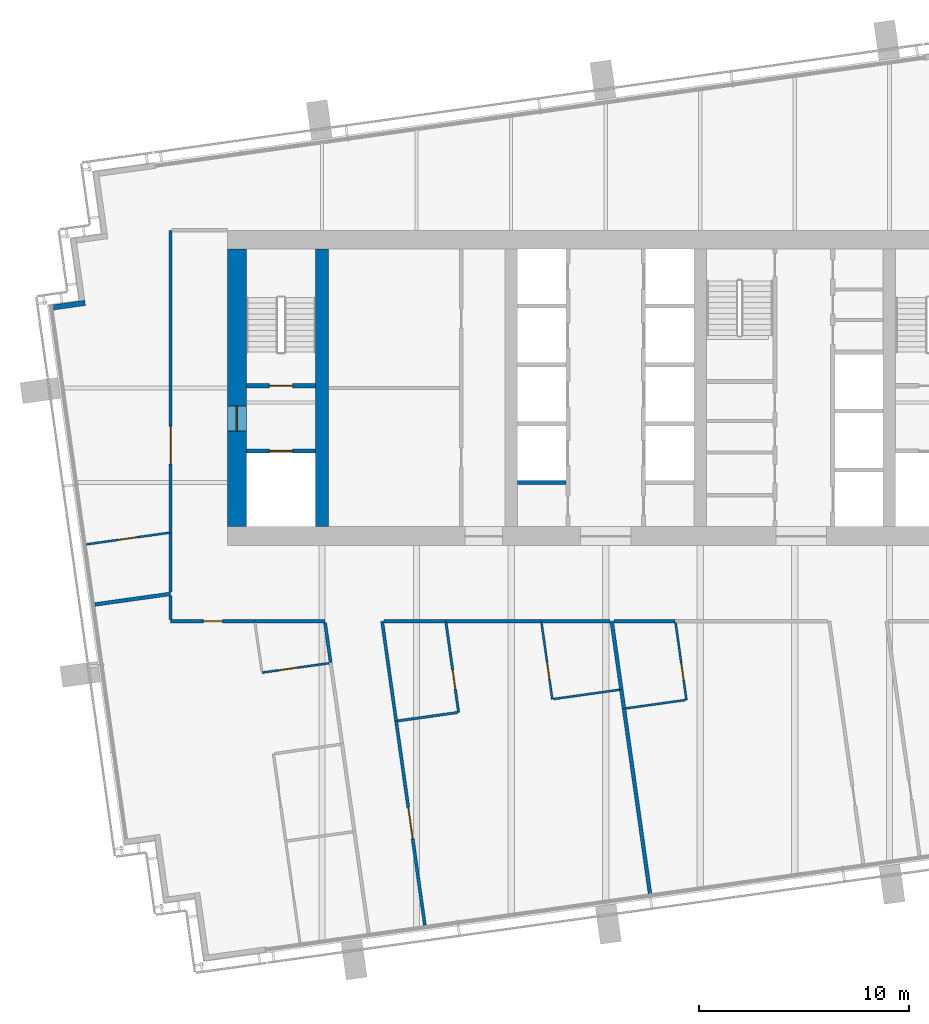
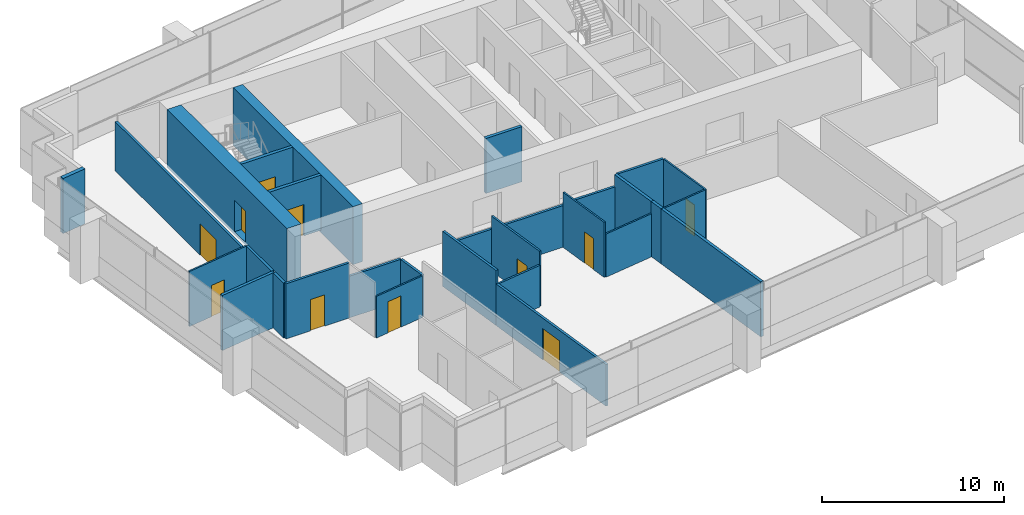
# One storey, part 8 of 15: 30 walls, 11 doors, 11 openings.
"""IFC4 building model written with IfcOpenShell, lengths in metres."""

from ifc_helpers import new_model, si_unit, direction, frame, frame_2d, origin, place, context, subcontext, project, spatial, rectangle, extrude, material, layer, layer_set, type_object, element, fill, save


model = new_model("IFC4")

# Units and contexts
model_context = context("Model", 3, precision=1e-05, world=origin(), true_north=direction((0.0, 1.0)))
body_context = subcontext(model_context, "Body", "Model", "MODEL_VIEW")
ifc_project = project(units=[si_unit("LENGTHUNIT", "METRE"), si_unit("AREAUNIT", "SQUARE_METRE"), si_unit("VOLUMEUNIT", "CUBIC_METRE"), si_unit("PLANEANGLEUNIT", "RADIAN"), si_unit("MASSUNIT", "GRAM", prefix="KILO")], contexts=[model_context])

# Site, building, storey
site_placement = place(None, origin())
site = spatial("IfcSite", under=ifc_project, at=site_placement, CompositionType="ELEMENT")
building_placement = place(site_placement, origin())
building = spatial("IfcBuilding", under=site, at=building_placement, Name="Rattan Terrace Tower", CompositionType="ELEMENT")
storey_placement = place(building_placement, frame((0.0, 0.0, 274.60009765625)))
storey = spatial("IfcBuildingStorey", under=building, at=storey_placement, Name="L63", CompositionType="ELEMENT", Elevation=274.60009765625)

# Wall, opening, door
ifc_material_1 = material(Name="Gypsum board partition")
ifc_layer_1 = layer(ifc_material_1, 0.199951171875)
ifc_layer_set_1 = layer_set([ifc_layer_1], Name="Core partition 200")
wall_type_1 = type_object("IfcWallType", Name="Core partition 200", PredefinedType="PARTITIONING", material=ifc_layer_set_1)
wall_1_placement = place(storey_placement, frame((-17.10009765625, -3.0, 0.0), z_axis=(0.0, 0.0, 1.0), x_axis=(1.0, 0.0, 0.0)))
wall_1 = element("IfcWall", 1, at=wall_1_placement, inside=storey, type_object=wall_type_1, Name="Fire-fighting lobby wall", PredefinedType="PARTITIONING", context=body_context, shape_type="SweptSolid", body=[
    extrude(rectangle(XDim=3.300048828125, YDim=0.199951171875, at=frame_2d((1.64990234375, 0.0))), origin(), (0.0, 0.0, 1.0), 3.699951171875),
])
opening_1_placement = place(wall_1_placement, frame((1.10009765625, 0.0, 0.0)))
opening_1 = element("IfcOpeningElement", 2, at=opening_1_placement, cuts=wall_1, Name="Opening L63-LD-FF1", PredefinedType="OPENING", context=body_context, shape_type="SweptSolid", body=[
    extrude(rectangle(XDim=1.10009765625, YDim=2.10009765625, at=frame_2d((0.550048828125, 1.050048828125))), frame((0.0, 0.110595703125, 0.0), z_axis=(0.0, -1.0, 0.0), x_axis=(1.0, 0.0, 0.0)), (0.0, 0.0, 1.0), 0.220947265625),
])
ifc_material_2 = material(Name="Brushed stainless landing door panel")
door_type_1 = type_object("IfcDoorType", Name="Core lift landing door 1100", OperationType="DOUBLE_DOOR_SLIDING", PredefinedType="DOOR", material=ifc_material_2)
door_1_placement = place(opening_1_placement, origin())
door_1 = element("IfcDoor", 3, at=door_1_placement, inside=storey, type_object=door_type_1, Name="Door L63-LD-FF1", OperationType="DOUBLE_DOOR_SLIDING", OverallHeight=2.10009765625, OverallWidth=1.10009765625, PredefinedType="DOOR", context=body_context, shape_type="SweptSolid", body=[
    extrude(rectangle(XDim=1.10009765625, YDim=2.10009765625, at=frame_2d((0.550048828125, 1.050048828125))), frame((0.0, 0.02490234375, 0.0), z_axis=(0.0, -1.0, 0.0), x_axis=(1.0, 0.0, 0.0)), (0.0, 0.0, 1.0), 0.050048828125),
])
fill(opening_1, door_1)

wall_2_placement = place(storey_placement, frame((-17.10009765625, 0.10009765625, 0.0), z_axis=(0.0, 0.0, 1.0), x_axis=(1.0, 0.0, 0.0)))
wall_2 = element("IfcWall", 4, at=wall_2_placement, inside=storey, type_object=wall_type_1, Name="Stair enclosure wall", PredefinedType="PARTITIONING", context=body_context, shape_type="SweptSolid", body=[
    extrude(rectangle(XDim=3.300048828125, YDim=0.199951171875, at=frame_2d((1.64990234375, 0.0))), origin(), (0.0, 0.0, 1.0), 3.699951171875),
])
opening_2_placement = place(wall_2_placement, frame((1.10009765625, 0.0, 0.0)))
opening_2 = element("IfcOpeningElement", 5, at=opening_2_placement, cuts=wall_2, Name="Opening L63-D002", PredefinedType="OPENING", context=body_context, shape_type="SweptSolid", body=[
    extrude(rectangle(XDim=1.10009765625, YDim=2.10009765625, at=frame_2d((0.550048828125, 1.050048828125))), frame((0.0, 0.110595703125, 0.0), z_axis=(0.0, -1.0, 0.0), x_axis=(1.0, 0.0, 0.0)), (0.0, 0.0, 1.0), 0.220947265625),
])
ifc_material_3 = material(Name="Hollow-metal fire door leaf")
door_type_2 = type_object("IfcDoorType", Name="Core stair door 1100", OperationType="NOTDEFINED", PredefinedType="DOOR", material=ifc_material_3)
door_2_placement = place(opening_2_placement, origin())
door_2 = element("IfcDoor", 6, at=door_2_placement, inside=storey, type_object=door_type_2, Name="Door L63-D002", OperationType="SINGLE_SWING_RIGHT", OverallHeight=2.10009765625, OverallWidth=1.10009765625, PredefinedType="DOOR", context=body_context, shape_type="SweptSolid", body=[
    extrude(rectangle(XDim=1.10009765625, YDim=2.10009765625, at=frame_2d((0.550048828125, 1.050048828125))), frame((0.0, 0.02490234375, 0.0), z_axis=(0.0, -1.0, 0.0), x_axis=(1.0, 0.0, 0.0)), (0.0, 0.0, 1.0), 0.050048828125),
])
fill(opening_2, door_2)

ifc_material_4 = material(Name="Concrete C50/60", Category="concrete")
ifc_layer_2 = layer(ifc_material_4, 0.89990234375)
ifc_layer_set_2 = layer_set([ifc_layer_2], Name="Core ring wall 900 C50/60")
wall_type_2 = type_object("IfcWallType", Name="Core ring wall 900 C50/60", PredefinedType="SHEAR", material=ifc_layer_set_2)
wall_3_placement = place(storey_placement, frame((-17.550048828125, -6.60009765625, -0.2001953125), z_axis=(0.0, 0.0, 1.0), x_axis=(0.0, 1.0, 0.0)))
wall_3 = element("IfcWall", 7, at=wall_3_placement, inside=storey, type_object=wall_type_2, Name="Rear core wall west", PredefinedType="SHEAR", context=body_context, shape_type="SweptSolid", body=[
    extrude(rectangle(XDim=13.2001953125, YDim=0.89990234375, at=frame_2d((6.60009765625, 0.0))), origin(), (0.0, 0.0, 1.0), 3.900146484375),
])
opening_3_placement = place(wall_3_placement, frame((4.550048828125, 0.0, 0.199951171875)))
opening_3 = element("IfcOpeningElement", 8, at=opening_3_placement, cuts=wall_3, Name="Opening L63-D001", PredefinedType="OPENING", context=body_context, shape_type="SweptSolid", body=[
    extrude(rectangle(XDim=1.199951171875, YDim=2.10009765625, at=frame_2d((0.60009765625, 1.050048828125))), frame((0.0, 0.46044921875, 0.0), z_axis=(0.0, -1.0, 0.0), x_axis=(1.0, 0.0, 0.0)), (0.0, 0.0, 1.0), 0.9208984375),
])
ifc_material_5 = material(Name="Hollow-metal fire door leaf")
door_type_3 = type_object("IfcDoorType", Name="Core fire-fighting lobby door 1200", OperationType="NOTDEFINED", PredefinedType="DOOR", material=ifc_material_5)
door_3_placement = place(opening_3_placement, origin())
door_3 = element("IfcDoor", 9, at=door_3_placement, inside=storey, type_object=door_type_3, Name="Door L63-D001", OperationType="SINGLE_SWING_LEFT", OverallHeight=2.10009765625, OverallWidth=1.199951171875, PredefinedType="DOOR", context=body_context, shape_type="SweptSolid", body=[
    extrude(rectangle(XDim=1.199951171875, YDim=2.10009765625, at=frame_2d((0.60009765625, 1.050048828125))), frame((0.0, 0.02490234375, 0.0), z_axis=(0.0, -1.0, 0.0), x_axis=(1.0, 0.0, 0.0)), (0.0, 0.0, 1.0), 0.050048828125),
])
fill(opening_3, door_3)

# Walls
ifc_material_6 = material(Name="Concrete C50/60", Category="concrete")
ifc_layer_3 = layer(ifc_material_6, 0.60009765625)
ifc_layer_set_3 = layer_set([ifc_layer_3], Name="Core spine wall 600 C50/60")
wall_type_3 = type_object("IfcWallType", Name="Core spine wall 600 C50/60", PredefinedType="SHEAR", material=ifc_layer_set_3)
wall_4_placement = place(storey_placement, frame((-13.5, -6.60009765625, -0.2001953125), z_axis=(0.0, 0.0, 1.0), x_axis=(0.0, 1.0, 0.0)))
element("IfcWall", 10, at=wall_4_placement, inside=storey, type_object=wall_type_3, Name="Core spine wall 1", PredefinedType="SHEAR", context=body_context, shape_type="SweptSolid", body=[
    extrude(rectangle(XDim=13.2001953125, YDim=0.60009765625, at=frame_2d((6.60009765625, 0.0))), origin(), (0.0, 0.0, 1.0), 3.900146484375),
])
ifc_material_7 = material(Name="Insulated aluminium-clad stud wall", Category="aluminium")
ifc_layer_4 = layer(ifc_material_7, 0.25)
ifc_layer_set_4 = layer_set([ifc_layer_4], Name="Facade Riser Wall 250")
wall_type_4 = type_object("IfcWallType", Name="Facade Riser Wall 250", PredefinedType="SOLIDWALL", material=ifc_layer_set_4)
wall_5_placement = place(storey_placement, frame((-24.769287109375, 4.045654296875, 0.0), z_axis=(0.0, 0.0, 1.0), x_axis=(-0.990260716096, -0.139225407725, 0.0)))
element("IfcWall", 11, at=wall_5_placement, inside=storey, type_object=wall_type_4, Name="Riser wall L63-15", PredefinedType="SOLIDWALL", context=body_context, shape_type="SweptSolid", body=[
    extrude(rectangle(XDim=1.525634765625, YDim=0.25, at=frame_2d((0.7626953125, 0.0))), origin(), (0.0, 0.0, 1.0), 3.699951171875),
])
ifc_material_8 = material(Name="Double steel stud acoustic partition, gypsum board, mineral wool, fire rated", Category="steel")
ifc_layer_5 = layer(ifc_material_8, 0.179931640625)
ifc_layer_set_5 = layer_set([ifc_layer_5], Name="Floors Acoustic Party Wall 180")
wall_type_5 = type_object("IfcWallType", Name="Floors Acoustic Party Wall 180", PredefinedType="PARTITIONING", material=ifc_layer_set_5)
wall_6_placement = place(storey_placement, frame((-24.303955078125, -10.302978515625, 0.0), z_axis=(0.0, 0.0, 1.0), x_axis=(0.990292681193, 0.138997861769, 0.0)))
element("IfcWall", 12, at=wall_6_placement, inside=storey, type_object=wall_type_5, Name="pt-L63-031", PredefinedType="PARTITIONING", context=body_context, shape_type="SweptSolid", body=[
    extrude(rectangle(XDim=3.639404296875, YDim=0.179931640625, at=frame_2d((1.81982421875, 0.0))), origin(), (0.0, 0.0, 1.0), 3.699951171875),
])
wall_7_placement = place(storey_placement, frame((0.867919921875, -15.239013671875, 0.0), z_axis=(0.0, 0.0, 1.0), x_axis=(0.139233409815, -0.990259591012, 0.0)))
element("IfcWall", 13, at=wall_7_placement, inside=storey, type_object=wall_type_5, Name="pt-L63-041", PredefinedType="PARTITIONING", context=body_context, shape_type="SweptSolid", body=[
    extrude(rectangle(XDim=8.90576171875, YDim=0.179931640625, at=frame_2d((4.452880859375, 0.0))), origin(), (0.0, 0.0, 1.0), 3.699951171875),
])
wall_8_placement = place(storey_placement, frame((0.742919921875, -14.34912109375, 0.0), z_axis=(0.0, 0.0, 1.0), x_axis=(0.139100809785, -0.990278225913, 0.0)))
element("IfcWall", 14, at=wall_8_placement, inside=storey, type_object=wall_type_5, Name="pt-L63-042", PredefinedType="PARTITIONING", context=body_context, shape_type="SweptSolid", body=[
    extrude(rectangle(XDim=0.898681640625, YDim=0.179931640625, at=frame_2d((0.44921875, 0.0))), origin(), (0.0, 0.0, 1.0), 3.699951171875),
])
wall_9_placement = place(storey_placement, frame((0.287109375, -11.10009765625, 0.0), z_axis=(0.0, 0.0, 1.0), x_axis=(0.13898222456, -0.990294875911, 0.0)))
element("IfcWall", 15, at=wall_9_placement, inside=storey, type_object=wall_type_5, Name="pt-L63-043", PredefinedType="PARTITIONING", context=body_context, shape_type="SweptSolid", body=[
    extrude(rectangle(XDim=3.279541015625, YDim=0.179931640625, at=frame_2d((1.6396484375, 0.0))), origin(), (0.0, 0.0, 1.0), 3.699951171875),
])

# Wall, opening, door
ifc_material_9 = material(Name="Gypsum board partition on steel studs", Category="steel")
ifc_layer_6 = layer(ifc_material_9, 0.10009765625)
ifc_layer_set_6 = layer_set([ifc_layer_6], Name="Floors Partition 100")
wall_type_6 = type_object("IfcWallType", Name="Floors Partition 100", PredefinedType="PARTITIONING", material=ifc_layer_set_6)
wall_10_placement = place(storey_placement, frame((-16.35205078125, -13.544921875, 0.0), z_axis=(0.0, 0.0, 1.0), x_axis=(0.990264894561, 0.13919568456, 0.0)))
wall_10 = element("IfcWall", 16, at=wall_10_placement, inside=storey, type_object=wall_type_6, Name="pt-L63-030", PredefinedType="PARTITIONING", context=body_context, shape_type="SweptSolid", body=[
    extrude(rectangle(XDim=3.2255859375, YDim=0.10009765625, at=frame_2d((1.61279296875, 0.0))), origin(), (0.0, 0.0, 1.0), 2.7998046875),
])
opening_4_placement = place(wall_10_placement, frame((0.798095703125, 0.0, 0.0)))
opening_4 = element("IfcOpeningElement", 17, at=opening_4_placement, cuts=wall_10, Name="Opening L63-D103", PredefinedType="OPENING", context=body_context, shape_type="SweptSolid", body=[
    extrude(rectangle(XDim=0.89990234375, YDim=2.10009765625, at=frame_2d((0.449951171875, 1.050048828125))), frame((0.0, 0.060546875, 0.0), z_axis=(0.0, -1.0, 0.0), x_axis=(1.0, 0.0, 0.0)), (0.0, 0.0, 1.0), 0.12109375),
])
ifc_material_10 = material(Name="Solid core timber door, painted", Category="wood")
door_type_4 = type_object("IfcDoorType", Name="Floors Door 900x2100", OperationType="NOTDEFINED", PredefinedType="DOOR", material=ifc_material_10)
door_4_placement = place(opening_4_placement, origin())
door_4 = element("IfcDoor", 18, at=door_4_placement, inside=storey, type_object=door_type_4, Name="d-L63-103", OperationType="SINGLE_SWING_LEFT", OverallHeight=2.10009765625, OverallWidth=0.89990234375, PredefinedType="DOOR", context=body_context, shape_type="SweptSolid", body=[
    extrude(rectangle(XDim=0.89990234375, YDim=2.10009765625, at=frame_2d((0.449951171875, 1.050048828125))), frame((0.0, 0.02490234375, 0.0), z_axis=(0.0, -1.0, 0.0), x_axis=(1.0, 0.0, 0.0)), (0.0, 0.0, 1.0), 0.050048828125),
])
fill(opening_4, door_4)

wall_11_placement = place(storey_placement, frame((-20.76806640625, -6.889892578125, 0.0), z_axis=(0.0, 0.0, 1.0), x_axis=(-0.990313393589, -0.138850215981, 0.0)))
wall_11 = element("IfcWall", 19, at=wall_11_placement, inside=storey, type_object=wall_type_6, Name="pt-L63-035", PredefinedType="PARTITIONING", context=body_context, shape_type="SweptSolid", body=[
    extrude(rectangle(XDim=3.9755859375, YDim=0.10009765625, at=frame_2d((1.98779296875, 0.0))), origin(), (0.0, 0.0, 1.0), 3.699951171875),
])
opening_5_placement = place(wall_11_placement, frame((1.5380859375, 0.0, 0.0)))
opening_5 = element("IfcOpeningElement", 20, at=opening_5_placement, cuts=wall_11, Name="Opening L63-D107", PredefinedType="OPENING", context=body_context, shape_type="SweptSolid", body=[
    extrude(rectangle(XDim=0.89990234375, YDim=2.10009765625, at=frame_2d((0.449951171875, 1.050048828125))), frame((0.0, 0.060546875, 0.0), z_axis=(0.0, -1.0, 0.0), x_axis=(1.0, 0.0, 0.0)), (0.0, 0.0, 1.0), 0.12109375),
])
door_5_placement = place(opening_5_placement, origin())
door_5 = element("IfcDoor", 21, at=door_5_placement, inside=storey, type_object=door_type_4, Name="d-L63-107", OperationType="SINGLE_SWING_RIGHT", OverallHeight=2.10009765625, OverallWidth=0.89990234375, PredefinedType="DOOR", context=body_context, shape_type="SweptSolid", body=[
    extrude(rectangle(XDim=0.89990234375, YDim=2.10009765625, at=frame_2d((0.449951171875, 1.050048828125))), frame((0.0, 0.02490234375, 0.0), z_axis=(0.0, -1.0, 0.0), x_axis=(1.0, 0.0, 0.0)), (0.0, 0.0, 1.0), 0.050048828125),
])
fill(opening_5, door_5)

wall_12_placement = place(storey_placement, frame((-3.052978515625, -11.16796875, 0.0), z_axis=(0.0, 0.0, 1.0), x_axis=(0.139199908751, -0.990264300782, 0.0)))
wall_12 = element("IfcWall", 22, at=wall_12_placement, inside=storey, type_object=wall_type_6, Name="pt-L63-039", PredefinedType="PARTITIONING", context=body_context, shape_type="SweptSolid", body=[
    extrude(rectangle(XDim=3.677978515625, YDim=0.10009765625, at=frame_2d((1.8388671875, 0.0))), origin(), (0.0, 0.0, 1.0), 3.699951171875),
])
opening_6_placement = place(wall_12_placement, frame((1.9150390625, 0.0, 0.0)))
opening_6 = element("IfcOpeningElement", 23, at=opening_6_placement, cuts=wall_12, Name="Opening L63-D111", PredefinedType="OPENING", context=body_context, shape_type="SweptSolid", body=[
    extrude(rectangle(XDim=0.800048828125, YDim=2.10009765625, at=frame_2d((0.39990234375, 1.050048828125))), frame((0.0, 0.060546875, 0.0), z_axis=(0.0, -1.0, 0.0), x_axis=(1.0, 0.0, 0.0)), (0.0, 0.0, 1.0), 0.12109375),
])
ifc_material_11 = material(Name="Solid core timber door, painted", Category="wood")
door_type_5 = type_object("IfcDoorType", Name="Floors Store Door 800x2100", OperationType="NOTDEFINED", PredefinedType="DOOR", material=ifc_material_11)
door_6_placement = place(opening_6_placement, origin())
door_6 = element("IfcDoor", 24, at=door_6_placement, inside=storey, type_object=door_type_5, Name="d-L63-111", OperationType="SINGLE_SWING_RIGHT", OverallHeight=2.10009765625, OverallWidth=0.800048828125, PredefinedType="DOOR", context=body_context, shape_type="SweptSolid", body=[
    extrude(rectangle(XDim=0.800048828125, YDim=2.10009765625, at=frame_2d((0.39990234375, 1.050048828125))), frame((0.0, 0.02490234375, 0.0), z_axis=(0.0, -1.0, 0.0), x_axis=(1.0, 0.0, 0.0)), (0.0, 0.0, 1.0), 0.050048828125),
])
fill(opening_6, door_6)

# Walls
wall_13_placement = place(storey_placement, frame((-2.491943359375, -14.802978515625, 0.0), z_axis=(0.0, 0.0, 1.0), x_axis=(0.990278754473, 0.139097046841, 0.0)))
element("IfcWall", 25, at=wall_13_placement, inside=storey, type_object=wall_type_6, Name="pt-L63-040", PredefinedType="PARTITIONING", context=body_context, shape_type="SweptSolid", body=[
    extrude(rectangle(XDim=3.1767578125, YDim=0.10009765625, at=frame_2d((1.58837890625, 0.0))), origin(), (0.0, 0.0, 1.0), 2.89990234375),
])
wall_14_placement = place(storey_placement, frame((0.9599609375, -15.2470703125, 0.0), z_axis=(0.0, 0.0, 1.0), x_axis=(0.990271288443, 0.139150189669, 0.0)))
element("IfcWall", 26, at=wall_14_placement, inside=storey, type_object=wall_type_6, Name="pt-L63-044", PredefinedType="PARTITIONING", context=body_context, shape_type="SweptSolid", body=[
    extrude(rectangle(XDim=2.85986328125, YDim=0.10009765625, at=frame_2d((1.429931640625, 0.0))), origin(), (0.0, 0.0, 1.0), 3.699951171875),
])

# Wall, opening, door
wall_15_placement = place(storey_placement, frame((3.842041015625, -14.842041015625, 0.0), z_axis=(0.0, 0.0, 1.0), x_axis=(-0.139108634852, 0.990277126722, 0.0)))
wall_15 = element("IfcWall", 27, at=wall_15_placement, inside=storey, type_object=wall_type_6, Name="pt-L63-045", PredefinedType="PARTITIONING", context=body_context, shape_type="SweptSolid", body=[
    extrude(rectangle(XDim=3.710205078125, YDim=0.10009765625, at=frame_2d((1.85498046875, 0.0))), origin(), (0.0, 0.0, 1.0), 3.699951171875),
])
opening_7_placement = place(wall_15_placement, frame((0.972900390625, 0.0, 0.0)))
opening_7 = element("IfcOpeningElement", 28, at=opening_7_placement, cuts=wall_15, Name="Opening L63-D113", PredefinedType="OPENING", context=body_context, shape_type="SweptSolid", body=[
    extrude(rectangle(XDim=0.800048828125, YDim=2.10009765625, at=frame_2d((0.39990234375, 1.050048828125))), frame((0.0, 0.060546875, 0.0), z_axis=(0.0, -1.0, 0.0), x_axis=(1.0, 0.0, 0.0)), (0.0, 0.0, 1.0), 0.12109375),
])
door_7_placement = place(opening_7_placement, origin())
door_7 = element("IfcDoor", 29, at=door_7_placement, inside=storey, type_object=door_type_5, Name="d-L63-113", OperationType="SINGLE_SWING_LEFT", OverallHeight=2.10009765625, OverallWidth=0.800048828125, PredefinedType="DOOR", context=body_context, shape_type="SweptSolid", body=[
    extrude(rectangle(XDim=0.800048828125, YDim=2.10009765625, at=frame_2d((0.39990234375, 1.050048828125))), frame((0.0, 0.02490234375, 0.0), z_axis=(0.0, -1.0, 0.0), x_axis=(1.0, 0.0, 0.0)), (0.0, 0.0, 1.0), 0.050048828125),
])
fill(opening_7, door_7)

# Wall
ifc_material_12 = material(Name="Gypsum board partition on steel studs, fire rated", Category="steel")
ifc_layer_7 = layer(ifc_material_12, 0.14990234375)
ifc_layer_set_7 = layer_set([ifc_layer_7], Name="Floors Tenancy Wall 150")
wall_type_7 = type_object("IfcWallType", Name="Floors Tenancy Wall 150", PredefinedType="PARTITIONING", material=ifc_layer_set_7)
wall_16_placement = place(storey_placement, frame((-20.699951171875, -11.02490234375, 0.0), z_axis=(0.0, 0.0, 1.0), x_axis=(0.0, 1.0, 0.0)))
element("IfcWall", 30, at=wall_16_placement, inside=storey, type_object=wall_type_7, Name="pt-L63-001", PredefinedType="PARTITIONING", context=body_context, shape_type="SweptSolid", body=[
    extrude(rectangle(XDim=1.126953125, YDim=0.14990234375, at=frame_2d((0.5634765625, 0.0))), origin(), (0.0, 0.0, 1.0), 3.699951171875),
])

# Wall, opening, door
wall_17_placement = place(storey_placement, frame((-16.676025390625, -11.10009765625, 0.0), z_axis=(0.0, 0.0, 1.0), x_axis=(-1.0, 0.0, 0.0)))
wall_17 = element("IfcWall", 31, at=wall_17_placement, inside=storey, type_object=wall_type_7, Name="pt-L63-002", PredefinedType="PARTITIONING", context=body_context, shape_type="SweptSolid", body=[
    extrude(rectangle(XDim=4.02392578125, YDim=0.14990234375, at=frame_2d((2.011962890625, 0.0))), origin(), (0.0, 0.0, 1.0), 3.699951171875),
])
opening_8_placement = place(wall_17_placement, frame((1.56201171875, 0.0, 0.0)))
opening_8 = element("IfcOpeningElement", 32, at=opening_8_placement, cuts=wall_17, Name="Opening L63-D100", PredefinedType="OPENING", context=body_context, shape_type="SweptSolid", body=[
    extrude(rectangle(XDim=0.89990234375, YDim=2.10009765625, at=frame_2d((0.449951171875, 1.050048828125))), frame((0.0, 0.08544921875, 0.0), z_axis=(0.0, -1.0, 0.0), x_axis=(1.0, 0.0, 0.0)), (0.0, 0.0, 1.0), 0.1708984375),
])
ifc_material_13 = material(Name="Steel fire door set", Category="steel")
door_type_6 = type_object("IfcDoorType", Name="Floors Fire Door FD30S 900x2100", OperationType="NOTDEFINED", PredefinedType="DOOR", material=ifc_material_13)
door_8_placement = place(opening_8_placement, origin())
door_8 = element("IfcDoor", 33, at=door_8_placement, inside=storey, type_object=door_type_6, Name="d-L63-100", OperationType="SINGLE_SWING_LEFT", OverallHeight=2.10009765625, OverallWidth=0.89990234375, PredefinedType="DOOR", context=body_context, shape_type="SweptSolid", body=[
    extrude(rectangle(XDim=0.89990234375, YDim=2.10009765625, at=frame_2d((0.449951171875, 1.050048828125))), frame((0.0, 0.02490234375, 0.0), z_axis=(0.0, -1.0, 0.0), x_axis=(1.0, 0.0, 0.0)), (0.0, 0.0, 1.0), 0.050048828125),
])
fill(opening_8, door_8)

# Walls
wall_18_placement = place(storey_placement, frame((-13.363037109375, -11.10009765625, 0.0), z_axis=(0.0, 0.0, 1.0), x_axis=(-1.0, 0.0, 0.0)))
element("IfcWall", 34, at=wall_18_placement, inside=storey, type_object=wall_type_7, Name="pt-L63-006", PredefinedType="PARTITIONING", context=body_context, shape_type="SweptSolid", body=[
    extrude(rectangle(XDim=3.31298828125, YDim=0.14990234375, at=frame_2d((1.656494140625, 0.0))), origin(), (0.0, 0.0, 1.0), 2.7998046875),
])
wall_19_placement = place(storey_placement, frame((-13.0859375, -13.06494140625, 0.0), z_axis=(0.0, 0.0, 1.0), x_axis=(-0.139292033523, 0.990251346577, 0.0)))
element("IfcWall", 35, at=wall_19_placement, inside=storey, type_object=wall_type_7, Name="pt-L63-007", PredefinedType="PARTITIONING", context=body_context, shape_type="SweptSolid", body=[
    extrude(rectangle(XDim=1.910400390625, YDim=0.14990234375, at=frame_2d((0.955078125, 0.0))), origin(), (0.0, 0.0, 1.0), 2.7998046875),
])

# Wall, opening, door
wall_20_placement = place(storey_placement, frame((-20.699951171875, -6.89990234375, 0.0), z_axis=(0.0, 0.0, 1.0), x_axis=(0.0, 1.0, 0.0)))
wall_20 = element("IfcWall", 36, at=wall_20_placement, inside=storey, type_object=wall_type_7, Name="pt-L63-012", PredefinedType="PARTITIONING", context=body_context, shape_type="SweptSolid", body=[
    extrude(rectangle(XDim=14.39990234375, YDim=0.14990234375, at=frame_2d((7.199951171875, 0.0))), origin(), (0.0, 0.0, 1.0), 3.2998046875),
])
opening_9_placement = place(wall_20_placement, frame((3.27490234375, 0.0, 0.0)))
opening_9 = element("IfcOpeningElement", 37, at=opening_9_placement, cuts=wall_20, Name="Opening L63-D106", PredefinedType="OPENING", context=body_context, shape_type="SweptSolid", body=[
    extrude(rectangle(XDim=1.800048828125, YDim=2.10009765625, at=frame_2d((0.89990234375, 1.050048828125))), frame((0.0, 0.08544921875, 0.0), z_axis=(0.0, -1.0, 0.0), x_axis=(1.0, 0.0, 0.0)), (0.0, 0.0, 1.0), 0.1708984375),
])
ifc_material_14 = material(Name="Steel fire door set", Category="steel")
door_type_7 = type_object("IfcDoorType", Name="Floors Fire Door Pair FD30S 1800x2100", OperationType="NOTDEFINED", PredefinedType="DOOR", material=ifc_material_14)
door_9_placement = place(opening_9_placement, origin())
door_9 = element("IfcDoor", 38, at=door_9_placement, inside=storey, type_object=door_type_7, Name="d-L63-106", OperationType="DOUBLE_DOOR_SINGLE_SWING", OverallHeight=2.10009765625, OverallWidth=1.800048828125, PredefinedType="DOOR", context=body_context, shape_type="SweptSolid", body=[
    extrude(rectangle(XDim=1.800048828125, YDim=2.10009765625, at=frame_2d((0.89990234375, 1.050048828125))), frame((0.0, 0.02490234375, 0.0), z_axis=(0.0, -1.0, 0.0), x_axis=(1.0, 0.0, 0.0)), (0.0, 0.0, 1.0), 0.050048828125),
])
fill(opening_9, door_9)

# Wall
wall_21_placement = place(storey_placement, frame((-20.698974609375, -9.7080078125, 0.0), z_axis=(0.0, 0.0, 1.0), x_axis=(0.0, 1.0, 0.0)))
element("IfcWall", 39, at=wall_21_placement, inside=storey, type_object=wall_type_7, Name="pt-L63-016", PredefinedType="PARTITIONING", context=body_context, shape_type="SweptSolid", body=[
    extrude(rectangle(XDim=2.80810546875, YDim=0.14990234375, at=frame_2d((1.404052734375, 0.0))), origin(), (0.0, 0.0, 1.0), 3.699951171875),
])

# Wall, opening, door
wall_22_placement = place(storey_placement, frame((-9.971923828125, -15.8330078125, 0.0), z_axis=(0.0, 0.0, 1.0), x_axis=(0.139205343882, -0.990263536759, 0.0)))
wall_22 = element("IfcWall", 40, at=wall_22_placement, inside=storey, type_object=wall_type_7, Name="pt-L63-018", PredefinedType="PARTITIONING", context=body_context, shape_type="SweptSolid", body=[
    extrude(rectangle(XDim=9.82666015625, YDim=0.14990234375, at=frame_2d((4.913330078125, 0.0))), origin(), (0.0, 0.0, 1.0), 2.7998046875),
])
opening_10_placement = place(wall_22_placement, frame((4.1630859375, 0.0, 0.0)))
opening_10 = element("IfcOpeningElement", 41, at=opening_10_placement, cuts=wall_22, Name="Opening L63-D109", PredefinedType="OPENING", context=body_context, shape_type="SweptSolid", body=[
    extrude(rectangle(XDim=1.5, YDim=2.10009765625, at=frame_2d((0.75, 1.050048828125))), frame((0.0, 0.08544921875, 0.0), z_axis=(0.0, -1.0, 0.0), x_axis=(1.0, 0.0, 0.0)), (0.0, 0.0, 1.0), 0.1708984375),
])
ifc_material_15 = material(Name="Steel fire door set", Category="steel")
door_type_8 = type_object("IfcDoorType", Name="Floors Unit Door Pair FD30S 1500x2100", OperationType="NOTDEFINED", PredefinedType="DOOR", material=ifc_material_15)
door_10_placement = place(opening_10_placement, origin())
door_10 = element("IfcDoor", 42, at=door_10_placement, inside=storey, type_object=door_type_8, Name="d-L63-109", OperationType="DOUBLE_DOOR_SINGLE_SWING", OverallHeight=2.10009765625, OverallWidth=1.5, PredefinedType="DOOR", context=body_context, shape_type="SweptSolid", body=[
    extrude(rectangle(XDim=1.5, YDim=2.10009765625, at=frame_2d((0.75, 1.050048828125))), frame((0.0, 0.02490234375, 0.0), z_axis=(0.0, -1.0, 0.0), x_axis=(1.0, 0.0, 0.0)), (0.0, 0.0, 1.0), 0.050048828125),
])
fill(opening_10, door_10)

# Walls
wall_23_placement = place(storey_placement, frame((-3.04296875, -11.10009765625, 0.0), z_axis=(0.0, 0.0, 1.0), x_axis=(-1.0, 0.0, 0.0)))
element("IfcWall", 43, at=wall_23_placement, inside=storey, type_object=wall_type_7, Name="pt-L63-019", PredefinedType="PARTITIONING", context=body_context, shape_type="SweptSolid", body=[
    extrude(rectangle(XDim=4.583984375, YDim=0.14990234375, at=frame_2d((2.2919921875, 0.0))), origin(), (0.0, 0.0, 1.0), 2.7998046875),
])
wall_24_placement = place(storey_placement, frame((-10.636962890625, -11.10009765625, 0.0), z_axis=(0.0, 0.0, 1.0), x_axis=(0.139146821365, -0.990271761742, 0.0)))
element("IfcWall", 44, at=wall_24_placement, inside=storey, type_object=wall_type_7, Name="pt-L63-020", PredefinedType="PARTITIONING", context=body_context, shape_type="SweptSolid", body=[
    extrude(rectangle(XDim=4.779296875, YDim=0.14990234375, at=frame_2d((2.3896484375, 0.0))), origin(), (0.0, 0.0, 1.0), 3.699951171875),
])
wall_25_placement = place(storey_placement, frame((-7.626953125, -11.09912109375, 0.0), z_axis=(0.0, 0.0, 1.0), x_axis=(-1.0, 0.0, 0.0)))
element("IfcWall", 45, at=wall_25_placement, inside=storey, type_object=wall_type_7, Name="pt-L63-021", PredefinedType="PARTITIONING", context=body_context, shape_type="SweptSolid", body=[
    extrude(rectangle(XDim=2.924072265625, YDim=0.14990234375, at=frame_2d((1.4619140625, 0.0))), origin(), (0.0, 0.0, 1.0), 2.7998046875),
])
wall_26_placement = place(storey_placement, frame((0.197998046875, -11.09912109375, 0.0), z_axis=(0.0, 0.0, 1.0), x_axis=(-1.0, 0.0, 0.0)))
element("IfcWall", 46, at=wall_26_placement, inside=storey, type_object=wall_type_7, Name="pt-L63-022", PredefinedType="PARTITIONING", context=body_context, shape_type="SweptSolid", body=[
    extrude(rectangle(XDim=3.240966796875, YDim=0.14990234375, at=frame_2d((1.62060546875, 0.0))), origin(), (0.0, 0.0, 1.0), 2.89990234375),
])
wall_27_placement = place(storey_placement, frame((3.2958984375, -11.10009765625, 0.0), z_axis=(0.0, 0.0, 1.0), x_axis=(-1.0, 0.0, 0.0)))
element("IfcWall", 47, at=wall_27_placement, inside=storey, type_object=wall_type_7, Name="pt-L63-025", PredefinedType="PARTITIONING", context=body_context, shape_type="SweptSolid", body=[
    extrude(rectangle(XDim=2.907958984375, YDim=0.14990234375, at=frame_2d((1.4541015625, 0.0))), origin(), (0.0, 0.0, 1.0), 3.699951171875),
])
ifc_material_16 = material(Name="Moisture resistant gypsum board partition on steel studs with service cavity", Category="steel")
ifc_layer_8 = layer(ifc_material_16, 0.1201171875)
ifc_layer_set_8 = layer_set([ifc_layer_8], Name="Floors Wet Wall 120")
wall_type_8 = type_object("IfcWallType", Name="Floors Wet Wall 120", PredefinedType="PARTITIONING", material=ifc_layer_set_8)
wall_28_placement = place(storey_placement, frame((-9.89501953125, -15.843017578125, 0.0), z_axis=(0.0, 0.0, 1.0), x_axis=(0.990265570358, 0.139190876728, 0.0)))
element("IfcWall", 48, at=wall_28_placement, inside=storey, type_object=wall_type_8, Name="pt-L63-037", PredefinedType="PARTITIONING", context=body_context, shape_type="SweptSolid", body=[
    extrude(rectangle(XDim=2.865966796875, YDim=0.1201171875, at=frame_2d((1.43310546875, 0.0))), origin(), (0.0, 0.0, 1.0), 2.7998046875),
])

# Wall, opening, door
wall_29_placement = place(storey_placement, frame((-6.998046875, -15.43603515625, 0.0), z_axis=(0.0, 0.0, 1.0), x_axis=(-0.139145497857, 0.990271947712, 0.0)))
wall_29 = element("IfcWall", 49, at=wall_29_placement, inside=storey, type_object=wall_type_8, Name="pt-L63-038", PredefinedType="PARTITIONING", context=body_context, shape_type="SweptSolid", body=[
    extrude(rectangle(XDim=4.31103515625, YDim=0.1201171875, at=frame_2d((2.155517578125, 0.0))), origin(), (0.0, 0.0, 1.0), 3.699951171875),
])
opening_11_placement = place(wall_29_placement, frame((1.123046875, 0.0, 0.0)))
opening_11 = element("IfcOpeningElement", 50, at=opening_11_placement, cuts=wall_29, Name="Opening L63-D110", PredefinedType="OPENING", context=body_context, shape_type="SweptSolid", body=[
    extrude(rectangle(XDim=0.89990234375, YDim=2.10009765625, at=frame_2d((0.449951171875, 1.050048828125))), frame((0.0, 0.070556640625, 0.0), z_axis=(0.0, -1.0, 0.0), x_axis=(1.0, 0.0, 0.0)), (0.0, 0.0, 1.0), 0.14111328125),
])
door_11_placement = place(opening_11_placement, origin())
door_11 = element("IfcDoor", 51, at=door_11_placement, inside=storey, type_object=door_type_4, Name="d-L63-110", OperationType="SINGLE_SWING_LEFT", OverallHeight=2.10009765625, OverallWidth=0.89990234375, PredefinedType="DOOR", context=body_context, shape_type="SweptSolid", body=[
    extrude(rectangle(XDim=0.89990234375, YDim=2.10009765625, at=frame_2d((0.449951171875, 1.050048828125))), frame((0.0, 0.02490234375, 0.0), z_axis=(0.0, -1.0, 0.0), x_axis=(1.0, 0.0, 0.0)), (0.0, 0.0, 1.0), 0.050048828125),
])
fill(opening_11, door_11)

# Wall
ifc_material_17 = material(Name="Gypsum shaft wall system")
ifc_layer_9 = layer(ifc_material_17, 0.199951171875)
ifc_layer_set_9 = layer_set([ifc_layer_9], Name="Lift shaft wall 200")
wall_type_9 = type_object("IfcWallType", Name="Lift shaft wall 200", PredefinedType="PARTITIONING", material=ifc_layer_set_9)
wall_30_placement = place(storey_placement, frame((-4.199951171875, -4.5, 0.0), z_axis=(0.0, 0.0, 1.0), x_axis=(1.0, 0.0, 0.0)))
element("IfcWall", 52, at=wall_30_placement, inside=storey, type_object=wall_type_9, Name="Lift shaft wall", PredefinedType="PARTITIONING", context=body_context, shape_type="SweptSolid", body=[
    extrude(rectangle(XDim=2.300048828125, YDim=0.199951171875, at=frame_2d((1.14990234375, 0.0))), origin(), (0.0, 0.0, 1.0), 3.699951171875),
])

save(model, "model.ifc")
